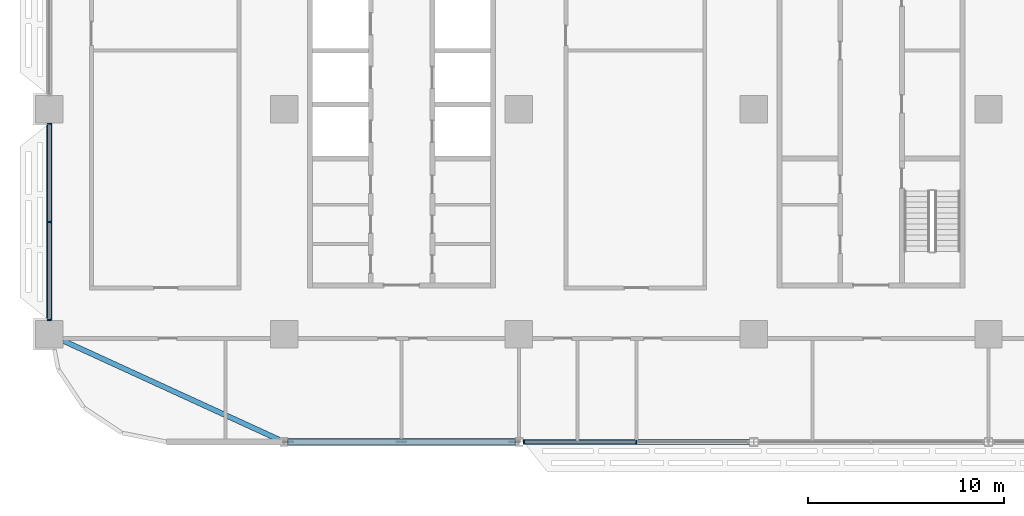
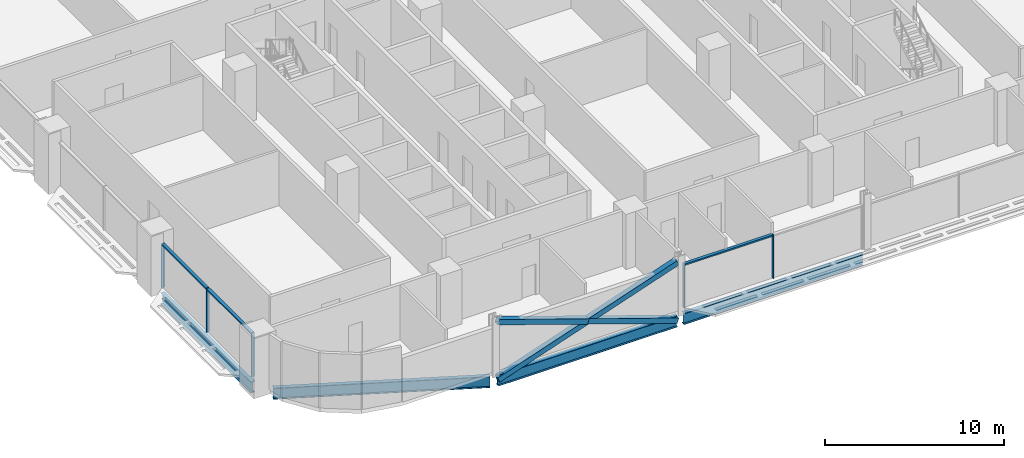
# One storey, part 3 of 29: 11 members, 4 beams, 2 elements without a shape of their own.
"""IFC4 building model written with IfcOpenShell, lengths in metres."""

import ifcopenshell
import ifcopenshell.guid

model = None  # the IFC model being written
_history = None  # IfcOwnerHistory: only IFC2X3 demands one
_inside = {}  # id of a spatial element -> (the spatial element, [elements in it])
_under = {}  # id of a project, library or spatial element -> (it, [spatial elements below it])
_declared = {}  # id of a project -> (the project, [libraries it declares])
_typed = {}  # id of a type object -> (the type object, [elements of that type])
_made_of = {}  # id of a material, layer set ... -> (it, [elements and type objects made of it])


def new_model(schema):
    """Start an empty IFC model of exactly this schema.

    Asked for "IFC4X3", IfcOpenShell would pick the latest addendum, in which some entities
    have other attributes; the version numbers below select the first issue.
    IFC2X3 requires an IfcOwnerHistory on every rooted entity: one is made here for all.
    """
    global model, _history
    if schema == "IFC4X3":
        model = ifcopenshell.file(schema_version=(4, 3, 0, 0))
    else:
        model = ifcopenshell.file(schema=schema)
    _inside.clear()
    _under.clear()
    _declared.clear()
    _typed.clear()
    _made_of.clear()
    _history = None
    if model.schema == "IFC2X3":
        org = make("IfcOrganization", Name="unknown")
        user = make(
            "IfcPersonAndOrganization",
            ThePerson=make("IfcPerson", FamilyName="unknown"),
            TheOrganization=org,
        )
        app = make(
            "IfcApplication",
            ApplicationDeveloper=org,
            Version="unknown",
            ApplicationFullName="unknown",
            ApplicationIdentifier="unknown",
        )
        _history = make(
            "IfcOwnerHistory",
            OwningUser=user,
            OwningApplication=app,
            ChangeAction="ADDED",
            CreationDate=0,
        )
    return model


def make(cls, **values):
    """One entity of the class cls with the attributes given. An attribute that is None is left unset."""
    return model.create_entity(
        cls, **{name: value for name, value in values.items() if value is not None}
    )


def rooted(cls, **values):
    """An entity with a GlobalId (a new one), such as an element, a storey or a relation."""
    return make(cls, GlobalId=ifcopenshell.guid.new(), OwnerHistory=_history, **values)


def si_unit(unit_type, name, prefix=None):
    """IfcSIUnit, for example si_unit("LENGTHUNIT", "METRE", prefix="MILLI")."""
    return make("IfcSIUnit", UnitType=unit_type, Prefix=prefix, Name=name)


def assignment(units):
    """IfcUnitAssignment: the units of a project."""
    return None if units is None else make("IfcUnitAssignment", Units=units)


def point(xyz):
    """IfcCartesianPoint."""
    return None if xyz is None else make("IfcCartesianPoint", Coordinates=xyz)


def direction(xyz):
    """IfcDirection."""
    return None if xyz is None else make("IfcDirection", DirectionRatios=xyz)


def frame(location, z_axis=None, x_axis=None):
    """IfcAxis2Placement3D, a coordinate frame: its origin and axes. An axis left out is left unset."""
    return make(
        "IfcAxis2Placement3D",
        Location=point(location),
        Axis=direction(z_axis),
        RefDirection=direction(x_axis),
    )


def frame_2d(location, x_axis=None):
    """IfcAxis2Placement2D, a coordinate frame in the plane: its origin and x axis."""
    return make(
        "IfcAxis2Placement2D", Location=point(location), RefDirection=direction(x_axis)
    )


def origin():
    """The frame at (0, 0, 0) with its axes left unset."""
    return frame((0.0, 0.0, 0.0))


def origin_2d():
    """The frame at (0, 0) in the plane with its x axis left unset."""
    return frame_2d((0.0, 0.0))


def place(relative_to, where):
    """IfcLocalPlacement: puts the frame where relative to a parent placement (None: the world)."""
    return make(
        "IfcLocalPlacement", PlacementRelTo=relative_to, RelativePlacement=where
    )


def context(
    kind, dimensions, precision=None, world=None, true_north=None, identifier=None
):
    """IfcGeometricRepresentationContext, for example the 3D "Model" context."""
    return make(
        "IfcGeometricRepresentationContext",
        ContextIdentifier=identifier,
        ContextType=kind,
        CoordinateSpaceDimension=dimensions,
        Precision=precision,
        WorldCoordinateSystem=world,
        TrueNorth=true_north,
    )


def subcontext(parent, identifier, kind, view, scale=None):
    """IfcGeometricRepresentationSubContext, for example "Body" below "Model"."""
    return make(
        "IfcGeometricRepresentationSubContext",
        ContextIdentifier=identifier,
        ContextType=kind,
        ParentContext=parent,
        TargetScale=scale,
        TargetView=view,
    )


def project(units=None, contexts=None):
    """IfcProject with its units and contexts."""
    return rooted(
        "IfcProject",
        Name="project",
        RepresentationContexts=contexts,
        UnitsInContext=assignment(units),
    )


def spatial(cls, under=None, at=None, **own):
    """A site, building, storey or space (cls), placed at a placement, below another one or the project."""
    s = rooted(cls, ObjectPlacement=at, **own)
    if under is not None:
        _under.setdefault(under.id(), (under, []))[1].append(s)
    return s


def profile(cls, at=None, kind="AREA", **sizes):
    """A parametric profile (cls). Its sizes go by their IFC names, for example OverallWidth=200.0."""
    return make(cls, ProfileType=kind, Position=at, **sizes)


def rectangle(**sizes):
    """IfcRectangleProfileDef."""
    return profile("IfcRectangleProfileDef", **sizes)


def hollow_rectangle(**sizes):
    """IfcRectangleHollowProfileDef."""
    return profile("IfcRectangleHollowProfileDef", **sizes)


def i_section(**sizes):
    """IfcIShapeProfileDef."""
    return profile("IfcIShapeProfileDef", **sizes)


def extrude(swept, where, along, depth):
    """IfcExtrudedAreaSolid: the profile swept, set in the frame where, extruded along a direction by depth."""
    return make(
        "IfcExtrudedAreaSolid",
        SweptArea=swept,
        Position=where,
        ExtrudedDirection=direction(along),
        Depth=depth,
    )


def shape(context_of_items, identifier, shape_type, items):
    """IfcShapeRepresentation: the items that make up one representation, for example the "Body"."""
    return make(
        "IfcShapeRepresentation",
        ContextOfItems=context_of_items,
        RepresentationIdentifier=identifier,
        RepresentationType=shape_type,
        Items=items,
    )


def material(Name=None, Category=None):
    """IfcMaterial."""
    return make("IfcMaterial", Name=Name, Category=Category)


def material_profile(
    of_material, cross_section, Name=None, Category=None, Priority=None
):
    """IfcMaterialProfile: a cross section and its material."""
    return make(
        "IfcMaterialProfile",
        Name=Name,
        Material=of_material,
        Profile=cross_section,
        Priority=Priority,
        Category=Category,
    )


def profile_set(profiles, Name=None, composite=None):
    """IfcMaterialProfileSet."""
    return make(
        "IfcMaterialProfileSet",
        Name=Name,
        MaterialProfiles=profiles,
        CompositeProfile=composite,
    )


def made_of(thing, what):
    """Note that an element or type object is made of a material, layer set ...; save() writes the relation."""
    if what is not None:
        _made_of.setdefault(what.id(), (what, []))[1].append(thing)
    return thing


def type_object(cls, material=None, **own):
    """A type object (cls), such as IfcWallType, which elements share."""
    return made_of(rooted(cls, **own), material)


def element(
    cls,
    number,
    at=None,
    inside=None,
    cuts=None,
    type_object=None,
    material=None,
    context=None,
    identifier="Body",
    shape_type=None,
    held_by="IfcProductDefinitionShape",
    body=None,
    shapes=None,
    **own,
):
    """One element of the class cls, such as IfcWall. Its Tag is "e" and its number.

    at: its placement. inside: the storey or other place that contains it. cuts: it is an
    opening in that element (IfcRelVoidsElement). A single representation is given by context,
    identifier, shape_type and body (its items); several are given by shapes. held_by: the class
    of the entity that holds the representations. save() writes the other relations.
    """
    e = rooted(cls, Tag="e%d" % number, ObjectPlacement=at, **own)
    if body is not None:
        shapes = [shape(context, identifier, shape_type, body)]
    if shapes is not None:
        e.Representation = make(held_by, Representations=shapes)
    if inside is not None:
        _inside.setdefault(inside.id(), (inside, []))[1].append(e)
    if cuts is not None:
        rooted(
            "IfcRelVoidsElement", RelatingBuildingElement=cuts, RelatedOpeningElement=e
        )
    if type_object is not None:
        _typed.setdefault(type_object.id(), (type_object, []))[1].append(e)
    return made_of(e, material)


def aggregate(whole, parts):
    """IfcRelAggregates: a whole, such as a stair, and the parts it consists of."""
    return rooted("IfcRelAggregates", RelatingObject=whole, RelatedObjects=parts)


def save(model, path):
    """Write the relations noted so far, then the file.

    IfcRelAggregates (storeys below a building ...), IfcRelContainedInSpatialStructure (elements
    in a storey), IfcRelDefinesByType, IfcRelAssociatesMaterial and IfcRelDeclares: one each for
    every whole, place, type object, material and project.
    """
    for whole, parts in _under.values():
        aggregate(whole, parts)
    for where, things in _inside.values():
        rooted(
            "IfcRelContainedInSpatialStructure",
            RelatedElements=things,
            RelatingStructure=where,
        )
    for kind, things in _typed.values():
        rooted("IfcRelDefinesByType", RelatedObjects=things, RelatingType=kind)
    for what, things in _made_of.values():
        rooted("IfcRelAssociatesMaterial", RelatedObjects=things, RelatingMaterial=what)
    for by, libraries in _declared.values():
        rooted("IfcRelDeclares", RelatingContext=by, RelatedDefinitions=libraries)
    model.write(path)


model = new_model("IFC4")

# Units and contexts
model_context = context("Model", 3, precision=1e-05, world=origin(), true_north=direction((0.0, 1.0)))
body_context = subcontext(model_context, "Body", "Model", "MODEL_VIEW")
ifc_project = project(units=[si_unit("LENGTHUNIT", "METRE"), si_unit("AREAUNIT", "SQUARE_METRE"), si_unit("VOLUMEUNIT", "CUBIC_METRE"), si_unit("PLANEANGLEUNIT", "RADIAN"), si_unit("MASSUNIT", "GRAM", prefix="KILO")], contexts=[model_context])

# Site, building, storey
site_placement = place(None, origin())
site = spatial("IfcSite", under=ifc_project, at=site_placement, CompositionType="ELEMENT")
building_placement = place(site_placement, origin())
building = spatial("IfcBuilding", under=site, at=building_placement, Name="Mahtab Terrace Research Tower", CompositionType="ELEMENT")
storey_placement = place(building_placement, frame((0.0, 0.0, 109.39990234375)))
storey = spatial("IfcBuildingStorey", under=building, at=storey_placement, Name="L25", CompositionType="ELEMENT", Elevation=109.39990234375)

# Members
ifc_material_1 = material(Name="Steel ASTM A500 Gr C", Category="steel")
ifc_material_profile_1 = material_profile(ifc_material_1, hollow_rectangle(XDim=0.355712890625, YDim=0.355712890625, WallThickness=0.01904296875, at=origin_2d()), Name="HSS14X14X3/4")
ifc_profile_set_1 = profile_set([ifc_material_profile_1], Name="Steel ASTM A500 Gr C")
member_type_1 = type_object("IfcMemberType", Name="HSS 14x14x3/4 brace XB141434", PredefinedType="BRACE", material=ifc_profile_set_1)
member_1_placement = place(storey_placement, frame((-29.79052734375, -17.0, -0.646728515625), z_axis=(0.946292853795, 0.0, 0.323310740397), x_axis=(0.0, 1.0, 0.0)))
element("IfcMember", 1, at=member_1_placement, inside=storey, type_object=member_type_1, Name="Exoskeleton brace L25 13 a", PredefinedType="BRACE", context=body_context, shape_type="SweptSolid", body=[
    extrude(hollow_rectangle(XDim=0.355712890625, YDim=0.355712890625, WallThickness=0.01904296875, at=origin_2d()), origin(), (0.0, 0.0, 1.0), 12.23828125),
])
for number, where, z_axis, x_axis, name in (
    (2, (-18.20947265625, -17.0, -0.646728515625), (-0.946298956945, 0.0, 0.323292876639), (0.0, -1.0, 0.0), "Exoskeleton brace L25 13 b1"),
    (3, (-24.0, -17.0, 1.33154296875), (-0.946286750388, 0.0, 0.323328603809), (0.0, -1.0, 0.0), "Exoskeleton brace L25 13 b2"),
):
    element("IfcMember", number, at=place(storey_placement, frame(where, z_axis=z_axis, x_axis=x_axis)), inside=storey, type_object=member_type_1, Name=name, PredefinedType="BRACE", context=body_context, shape_type="SweptSolid", body=[
        extrude(hollow_rectangle(XDim=0.355712890625, YDim=0.355712890625, WallThickness=0.01904296875, at=origin_2d()), origin(), (0.0, 0.0, 1.0), 6.119140625),
    ])

# Curtain wall, members
ifc_material_2 = material(Name="Laboratory ribbon curtain wall")
curtain_wall_type = type_object("IfcCurtainWallType", Name="Laboratory ribbon curtain wall", PredefinedType="NOTDEFINED", material=ifc_material_2)
curtain_wall_1_placement = place(storey_placement, origin())
curtain_wall_1 = element("IfcCurtainWall", 4, at=curtain_wall_1_placement, inside=storey, type_object=curtain_wall_type, Name="EN.L25.8.18", PredefinedType="NOTDEFINED")
ifc_material_3 = material(Name="Natural anodised aluminium", Category="aluminium")
ifc_material_profile_2 = material_profile(ifc_material_3, rectangle(XDim=0.199951171875, YDim=0.06494140625, at=origin_2d()), Name="MULLION 65x200")
ifc_profile_set_2 = profile_set([ifc_material_profile_2], Name="Natural anodised aluminium")
member_type_2 = type_object("IfcMemberType", Name="Laboratory ribbon curtain wall mullion", PredefinedType="MULLION", material=ifc_profile_set_2)
member_2_placement = place(storey_placement, frame((-42.0, -0.732421875, 0.0), z_axis=(0.0, 0.0, 1.0), x_axis=(1.0, 0.0, 0.0)))
member_2 = element("IfcMember", 5, at=member_2_placement, type_object=member_type_2, Name="CWL-3 mullion 1", PredefinedType="MULLION", context=body_context, shape_type="SweptSolid", body=[
    extrude(rectangle(XDim=0.199951171875, YDim=0.06494140625, at=origin_2d()), origin(), (0.0, 0.0, 1.0), 3.003173828125),
])
member_3_placement = place(storey_placement, frame((-42.0, -5.75, 0.0), z_axis=(0.0, 0.0, 1.0), x_axis=(1.0, 0.0, 0.0)))
member_3 = element("IfcMember", 6, at=member_3_placement, type_object=member_type_2, Name="CWL-3 mullion 2", PredefinedType="MULLION", context=body_context, shape_type="SweptSolid", body=[
    extrude(rectangle(XDim=0.199951171875, YDim=0.06494140625, at=origin_2d()), origin(), (0.0, 0.0, 1.0), 3.003173828125),
])
member_4_placement = place(storey_placement, frame((-42.0, -10.767578125, 0.0), z_axis=(0.0, 0.0, 1.0), x_axis=(1.0, 0.0, 0.0)))
member_4 = element("IfcMember", 7, at=member_4_placement, type_object=member_type_2, Name="CWL-3 mullion 3", PredefinedType="MULLION", context=body_context, shape_type="SweptSolid", body=[
    extrude(rectangle(XDim=0.199951171875, YDim=0.06494140625, at=origin_2d()), origin(), (0.0, 0.0, 1.0), 3.003173828125),
])

curtain_wall_2_placement = place(storey_placement, origin())
curtain_wall_2 = element("IfcCurtainWall", 8, at=curtain_wall_2_placement, inside=storey, type_object=curtain_wall_type, Name="EN.L25.13.25", PredefinedType="NOTDEFINED")
member_5_placement = place(storey_placement, frame((-17.739501953125, -17.0, 0.0), z_axis=(0.0, 0.0, 1.0), x_axis=(0.0, 1.0, 0.0)))
member_5 = element("IfcMember", 9, at=member_5_placement, type_object=member_type_2, Name="CWL-3 mullion 1", PredefinedType="MULLION", context=body_context, shape_type="SweptSolid", body=[
    extrude(rectangle(XDim=0.199951171875, YDim=0.06494140625, at=origin_2d()), origin(), (0.0, 0.0, 1.0), 3.003173828125),
])
member_6_placement = place(storey_placement, frame((-12.0, -17.0, 0.0), z_axis=(0.0, 0.0, 1.0), x_axis=(0.0, 1.0, 0.0)))
member_6 = element("IfcMember", 10, at=member_6_placement, type_object=member_type_2, Name="CWL-3 mullion 2", PredefinedType="MULLION", context=body_context, shape_type="SweptSolid", body=[
    extrude(rectangle(XDim=0.199951171875, YDim=0.06494140625, at=origin_2d()), origin(), (0.0, 0.0, 1.0), 3.003173828125),
])

# Member
ifc_material_profile_3 = material_profile(ifc_material_3, rectangle(XDim=0.199951171875, YDim=0.10009765625, at=origin_2d()), Name="TRANSOM 100x200")
ifc_profile_set_3 = profile_set([ifc_material_profile_3], Name="Natural anodised aluminium")
member_type_3 = type_object("IfcMemberType", Name="Laboratory ribbon curtain wall transom", PredefinedType="USERDEFINED", material=ifc_profile_set_3)
member_7_placement = place(storey_placement, frame((-42.0, -0.764892578125, 2.953125), z_axis=(0.0, -1.0, 0.0), x_axis=(1.0, 0.0, 0.0)))
member_7 = element("IfcMember", 11, at=member_7_placement, type_object=member_type_3, Name="CWL-3 transom 1", ObjectType="TRANSOM", PredefinedType="USERDEFINED", context=body_context, shape_type="SweptSolid", body=[
    extrude(rectangle(XDim=0.199951171875, YDim=0.10009765625, at=origin_2d()), origin(), (0.0, 0.0, 1.0), 4.95263671875),
])

member_8_placement = place(storey_placement, frame((-42.0, -5.782470703125, 2.953125), z_axis=(0.0, -1.0, 0.0), x_axis=(1.0, 0.0, 0.0)))
member_8 = element("IfcMember", 12, at=member_8_placement, type_object=member_type_3, Name="CWL-3 transom 2", ObjectType="TRANSOM", PredefinedType="USERDEFINED", context=body_context, shape_type="SweptSolid", body=[
    extrude(rectangle(XDim=0.199951171875, YDim=0.10009765625, at=origin_2d()), origin(), (0.0, 0.0, 1.0), 4.95263671875),
])

aggregate(curtain_wall_1, [member_2, member_3, member_4, member_7, member_8])

member_9_placement = place(storey_placement, frame((-17.70703125, -17.0, 2.953125), z_axis=(1.0, 0.0, 0.0), x_axis=(0.0, 1.0, 0.0)))
member_9 = element("IfcMember", 13, at=member_9_placement, type_object=member_type_3, Name="CWL-3 transom 1", ObjectType="TRANSOM", PredefinedType="USERDEFINED", context=body_context, shape_type="SweptSolid", body=[
    extrude(rectangle(XDim=0.199951171875, YDim=0.10009765625, at=origin_2d()), origin(), (0.0, 0.0, 1.0), 5.674560546875),
])

aggregate(curtain_wall_2, [member_5, member_6, member_9])

# Beams
ifc_material_4 = material(Name="Steel ASTM A992 Gr 50", Category="steel")
ifc_material_profile_4 = material_profile(ifc_material_4, i_section(OverallWidth=0.2666015625, OverallDepth=0.7568359375, WebThickness=0.013916015625, FlangeThickness=0.019287109375, at=origin_2d()), Name="W30X108")
ifc_profile_set_4 = profile_set([ifc_material_profile_4], Name="Steel ASTM A992 Gr 50")
beam_type = type_object("IfcBeamType", Name="W30x108 beam BS30108", PredefinedType="BEAM", material=ifc_profile_set_4)
beam_1_placement = place(storey_placement, frame((-42.0, -0.699951171875, -0.71826171875), z_axis=(0.0, -1.0, 0.0), x_axis=(1.0, 0.0, 0.0)))
element("IfcBeam", 14, at=beam_1_placement, inside=storey, type_object=beam_type, Name="Spandrel beam L25 11", PredefinedType="BEAM", context=body_context, shape_type="SweptSolid", body=[
    extrude(i_section(OverallWidth=0.2666015625, OverallDepth=0.7568359375, WebThickness=0.013916015625, FlangeThickness=0.019287109375, at=origin_2d()), origin(), (0.0, 0.0, 1.0), 10.10009765625),
])
beam_2_placement = place(storey_placement, frame((-41.300048828125, -11.82080078125, -0.71826171875), z_axis=(0.909062612141, -0.41665953392, 0.0), x_axis=(0.41665953392, 0.909062612141, 0.0)))
element("IfcBeam", 15, at=beam_2_placement, inside=storey, type_object=beam_type, Name="Spandrel beam L25 12", PredefinedType="BEAM", context=body_context, shape_type="SweptSolid", body=[
    extrude(i_section(OverallWidth=0.2666015625, OverallDepth=0.7568359375, WebThickness=0.013916015625, FlangeThickness=0.019287109375, at=origin_2d()), origin(), (0.0, 0.0, 1.0), 12.199951171875),
])
for number, where, z_axis, x_axis, name in (
    (16, (-29.79052734375, -17.0, -0.71826171875), (1.0, 0.0, 0.0), (0.0, 1.0, 0.0), "Spandrel beam L25 13"),
    (17, (-17.79052734375, -17.0, -0.71826171875), (1.0, 0.0, 0.0), (0.0, 1.0, 0.0), "Spandrel beam L25 14"),
):
    element("IfcBeam", number, at=place(storey_placement, frame(where, z_axis=z_axis, x_axis=x_axis)), inside=storey, type_object=beam_type, Name=name, PredefinedType="BEAM", context=body_context, shape_type="SweptSolid", body=[
        extrude(i_section(OverallWidth=0.2666015625, OverallDepth=0.7568359375, WebThickness=0.013916015625, FlangeThickness=0.019287109375, at=origin_2d()), origin(), (0.0, 0.0, 1.0), 11.5810546875),
    ])

save(model, "model.ifc")
